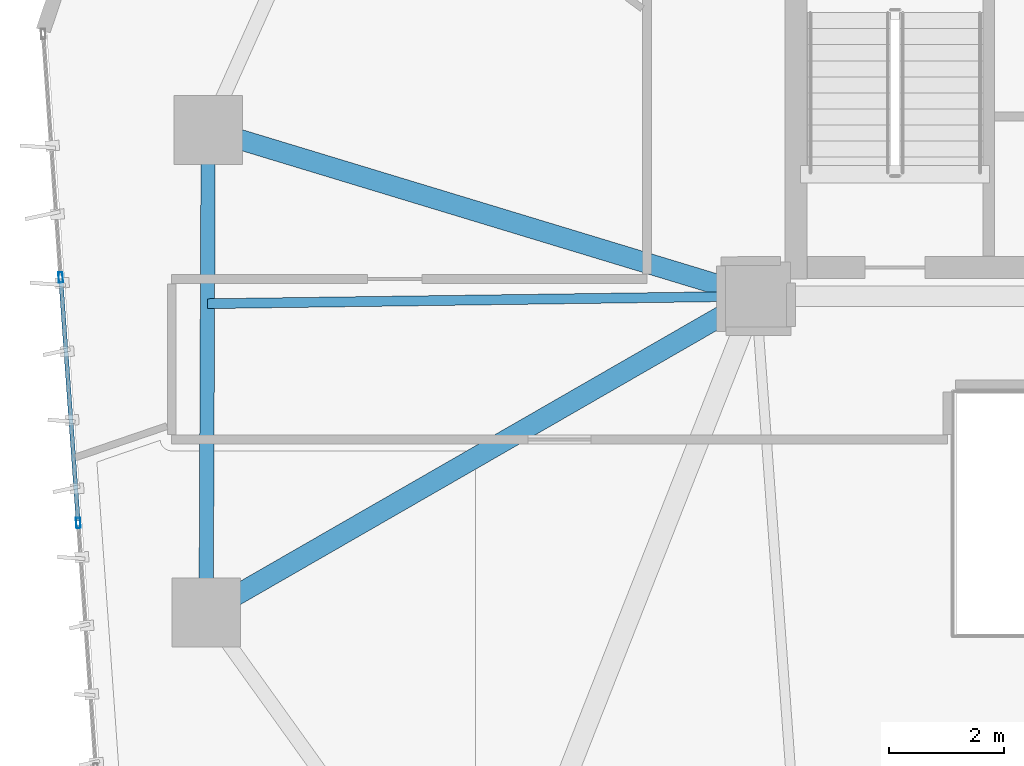
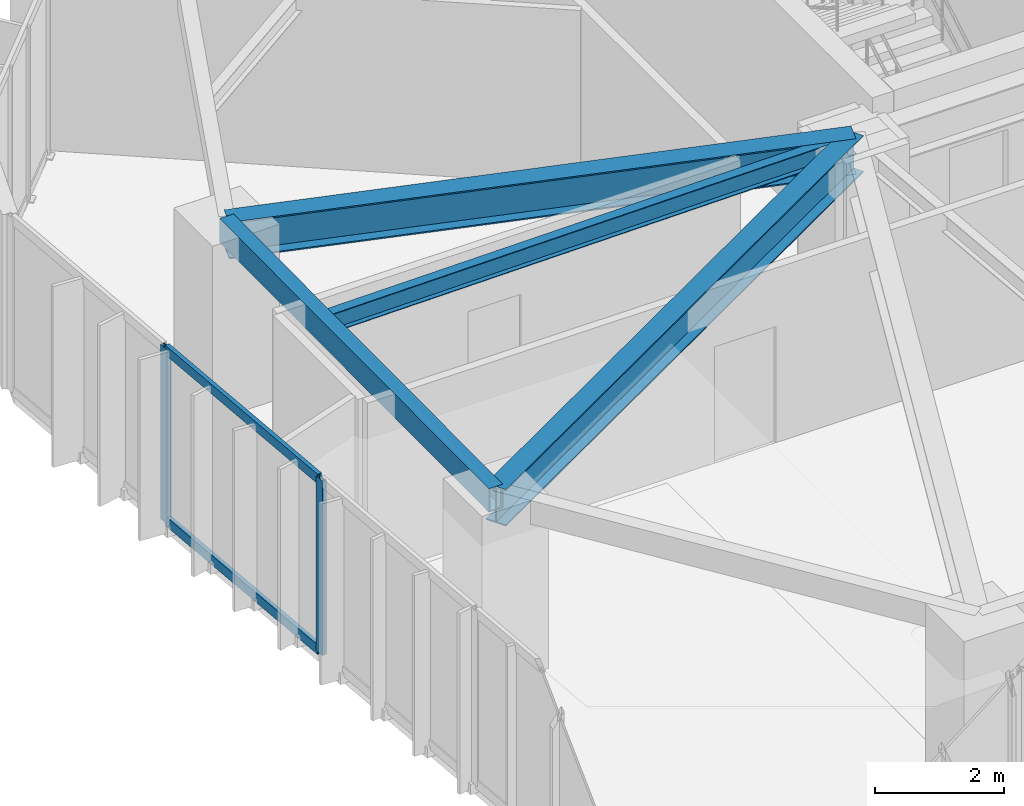
# One storey, part 4 of 23: 4 beams, 4 members, 1 element without a shape of its own.
"""IFC4 building model written with IfcOpenShell, lengths in metres."""

from ifc_helpers import new_model, si_unit, direction, frame, origin, origin_2d, place, context, subcontext, project, spatial, hollow_rectangle, i_section, extrude, source, transform, mapped, material, layer, layer_set, material_profile, profile_set, type_object, type_shapes, element, aggregate, save


model = new_model("IFC4")

# Units and contexts
model_context = context("Model", 3, precision=1e-05, world=origin(), true_north=direction((0.0, 1.0)))
body_context = subcontext(model_context, "Body", "Model", "MODEL_VIEW")
ifc_project = project(units=[si_unit("LENGTHUNIT", "METRE"), si_unit("AREAUNIT", "SQUARE_METRE"), si_unit("VOLUMEUNIT", "CUBIC_METRE"), si_unit("PLANEANGLEUNIT", "RADIAN"), si_unit("MASSUNIT", "GRAM", prefix="KILO")], contexts=[model_context])

# Site, building, storey
site_placement = place(None, origin())
site = spatial("IfcSite", under=ifc_project, at=site_placement, CompositionType="ELEMENT")
building_placement = place(site_placement, origin())
building = spatial("IfcBuilding", under=site, at=building_placement, Name="Talar Marvaseh", CompositionType="ELEMENT")
storey_placement = place(building_placement, frame((0.0, 0.0, 96.60009765625)))
storey = spatial("IfcBuildingStorey", under=building, at=storey_placement, Name="L24", CompositionType="ELEMENT", Elevation=96.60009765625)

# Beams
ifc_material_1 = material(Name="Steel S355", Category="steel")
ifc_material_profile_1 = material_profile(ifc_material_1, hollow_rectangle(XDim=0.25, YDim=0.449951171875, WallThickness=0.01611328125, at=origin_2d()), Name="RHS450x250x16")
ifc_profile_set_1 = profile_set([ifc_material_profile_1], Name="Steel S355")
beam_type_1 = type_object("IfcBeamType", Name="Zone 2 Perimeter Spandrel Beam RHS450x250x16", PredefinedType="SPANDREL", material=ifc_profile_set_1)
beam_1_placement = place(storey_placement, frame((9.10107421875, 19.97705078125, 3.0849609375), z_axis=(0.004375628226, 0.999990426893, 0.0), x_axis=(-0.999990426893, 0.004375628226, 0.0)))
element("IfcBeam", 1, at=beam_1_placement, inside=storey, type_object=beam_type_1, Name="L24 Zone 2 Perimeter Spandrel Beam RHS450x250x16", PredefinedType="SPANDREL", context=body_context, shape_type="SweptSolid", body=[
    extrude(hollow_rectangle(XDim=0.25, YDim=0.449951171875, WallThickness=0.01611328125, at=origin_2d()), origin(), (0.0, 0.0, 1.0), 8.425048828125),
])
ifc_material_profile_2 = material_profile(ifc_material_1, i_section(OverallWidth=0.35498046875, OverallDepth=0.695068359375, WebThickness=0.015380859375, FlangeThickness=0.02490234375, at=origin_2d()), Name="W690x217")
ifc_profile_set_2 = profile_set([ifc_material_profile_2], Name="Steel S355")
beam_type_2 = type_object("IfcBeamType", Name="Zone 2 Radial Floor Girder W690x217", PredefinedType="BEAM", material=ifc_profile_set_2)
beam_2_placement = place(storey_placement, frame((9.10107421875, 19.97705078125, 2.96240234375), z_axis=(0.866765990926, 0.498715065919, 0.0), x_axis=(-0.498715065919, 0.866765990926, 0.0)))
element("IfcBeam", 2, at=beam_2_placement, inside=storey, type_object=beam_type_2, Name="L24 Zone 2 Radial Floor Girder W690x217", PredefinedType="BEAM", context=body_context, shape_type="SweptSolid", body=[
    extrude(i_section(OverallWidth=0.35498046875, OverallDepth=0.695068359375, WebThickness=0.015380859375, FlangeThickness=0.02490234375, at=origin_2d()), origin(), (0.0, 0.0, 1.0), 11.074462890625),
])
beam_3_placement = place(storey_placement, frame((9.137939453125, 28.402099609375, 2.96240234375), z_axis=(0.956898764921, -0.290421682546, 0.0), x_axis=(0.290421682546, 0.956898764921, 0.0)))
element("IfcBeam", 3, at=beam_3_placement, inside=storey, type_object=beam_type_2, Name="L24 Zone 2 Radial Floor Girder W690x217", PredefinedType="BEAM", context=body_context, shape_type="SweptSolid", body=[
    extrude(i_section(OverallWidth=0.35498046875, OverallDepth=0.695068359375, WebThickness=0.015380859375, FlangeThickness=0.02490234375, at=origin_2d()), origin(), (0.0, 0.0, 1.0), 9.99267578125),
])
ifc_material_profile_3 = material_profile(ifc_material_1, i_section(OverallWidth=0.172119140625, OverallDepth=0.35791015625, WebThickness=0.0078125, FlangeThickness=0.01318359375, at=origin_2d()), Name="W360x57")
ifc_profile_set_3 = profile_set([ifc_material_profile_3], Name="Steel S355")
beam_type_3 = type_object("IfcBeamType", Name="Zone 2 Secondary Floor Joist W360x57", PredefinedType="JOIST", material=ifc_profile_set_3)
beam_4_placement = place(storey_placement, frame((9.124755859375, 25.368896484375, 3.130859375), z_axis=(0.999906277829, 0.013690710637, 0.0), x_axis=(-0.013690710637, 0.999906277829, 0.0)))
element("IfcBeam", 4, at=beam_4_placement, inside=storey, type_object=beam_type_3, Name="L24 Zone 2 Secondary Floor Joist W360x57", PredefinedType="JOIST", context=body_context, shape_type="SweptSolid", body=[
    extrude(i_section(OverallWidth=0.172119140625, OverallDepth=0.35791015625, WebThickness=0.0078125, FlangeThickness=0.01318359375, at=origin_2d()), origin(), (0.0, 0.0, 1.0), 9.576171875),
])

# Curtain wall, members
ifc_material_2 = material(Name="Architectural Aluminium", Category="aluminium")
ifc_layer = layer(ifc_material_2, 0.199951171875)
ifc_layer_set = layer_set([ifc_layer], Name="Architectural Aluminium")
curtain_wall_type = type_object("IfcCurtainWallType", Name="Unitised Acoustic Library Curtain Wall Z2", PredefinedType="NOTDEFINED", material=ifc_layer_set)
curtain_wall_placement = place(storey_placement, origin())
curtain_wall = element("IfcCurtainWall", 5, at=curtain_wall_placement, inside=storey, type_object=curtain_wall_type, Name="L24 Unitised Acoustic Library Curtain Wall Z2", PredefinedType="NOTDEFINED")
ifc_material_profile_4 = material_profile(ifc_material_2, hollow_rectangle(XDim=0.074951171875, YDim=0.179931640625, WallThickness=0.0048828125, at=origin_2d()), Name="RHS180x75x5")
ifc_profile_set_4 = profile_set([ifc_material_profile_4], Name="Architectural Aluminium")
member_type_1 = type_object("IfcMemberType", Name="Unitised Curtain Wall Transom RHS180x75x5", PredefinedType="USERDEFINED", material=ifc_profile_set_4)
shared_shape_1 = source(origin(), body_context, "Body", "SweptSolid", [
    extrude(hollow_rectangle(XDim=0.074951171875, YDim=0.179931640625, WallThickness=0.0048828125, at=origin_2d()), origin(), (0.0, 0.0, 1.0), 4.222900390625),
])
type_shapes(member_type_1, [shared_shape_1])
member_1_placement = place(storey_placement, frame((6.86669921875, 21.578857421875, 0.037353515625), z_axis=(-0.071456583022, 0.997443711065, 0.0), x_axis=(-0.997443711065, -0.071456583022, 0.0)))
member_1 = element("IfcMember", 6, at=member_1_placement, type_object=member_type_1, Name="CW-Z2 transom 3.1", ObjectType="TRANSOM", PredefinedType="USERDEFINED", context=body_context, shape_type="MappedRepresentation", body=[
    mapped(shared_shape_1, transform((0.0, 0.0, 0.0), x_axis=(1.0, 0.0, 0.0), y_axis=(0.0, 1.0, 0.0), z_axis=(0.0, 0.0, 1.0), scale=1.0)),
])
member_2_placement = place(storey_placement, frame((6.86669921875, 21.578857421875, 3.2724609375), z_axis=(-0.071456583022, 0.997443711065, 0.0), x_axis=(-0.997443711065, -0.071456583022, 0.0)))
member_2 = element("IfcMember", 7, at=member_2_placement, type_object=member_type_1, Name="CW-Z2 transom 3.2", ObjectType="TRANSOM", PredefinedType="USERDEFINED", context=body_context, shape_type="MappedRepresentation", body=[
    mapped(shared_shape_1, transform((0.0, 0.0, 0.0), x_axis=(1.0, 0.0, 0.0), y_axis=(0.0, 1.0, 0.0), z_axis=(0.0, 0.0, 1.0), scale=1.0)),
])
ifc_material_profile_5 = material_profile(ifc_material_2, hollow_rectangle(XDim=0.074951171875, YDim=0.179931640625, WallThickness=0.0048828125, at=origin_2d()), Name="RHS180x75x5")
ifc_profile_set_5 = profile_set([ifc_material_profile_5], Name="Architectural Aluminium")
member_type_2 = type_object("IfcMemberType", Name="Unitised Curtain Wall Standard Mullion RHS180x75x5", PredefinedType="MULLION", material=ifc_profile_set_5)
shared_shape_2 = source(origin(), body_context, "Body", "SweptSolid", [
    extrude(hollow_rectangle(XDim=0.074951171875, YDim=0.179931640625, WallThickness=0.0048828125, at=origin_2d()), origin(), (0.0, 0.0, 1.0), 3.309814453125),
])
type_shapes(member_type_2, [shared_shape_2])
member_3_placement = place(storey_placement, frame((6.869384765625, 21.54150390625, 0.0), z_axis=(0.0, 0.0, 1.0), x_axis=(-0.997445602626, -0.071430174316, 0.0)))
member_3 = element("IfcMember", 8, at=member_3_placement, type_object=member_type_2, Name="CW-Z2 mullion 3", PredefinedType="MULLION", context=body_context, shape_type="MappedRepresentation", body=[
    mapped(shared_shape_2, transform((0.0, 0.0, 0.0), x_axis=(1.0, 0.0, 0.0), y_axis=(0.0, 1.0, 0.0), z_axis=(0.0, 0.0, 1.0), scale=1.0)),
])
member_4_placement = place(storey_placement, frame((6.562255859375, 25.828369140625, 0.0), z_axis=(0.0, 0.0, 1.0), x_axis=(-0.997445602626, -0.071430174316, 0.0)))
member_4 = element("IfcMember", 9, at=member_4_placement, type_object=member_type_2, Name="CW-Z2 mullion 4", PredefinedType="MULLION", context=body_context, shape_type="MappedRepresentation", body=[
    mapped(shared_shape_2, transform((0.0, 0.0, 0.0), x_axis=(1.0, 0.0, 0.0), y_axis=(0.0, 1.0, 0.0), z_axis=(0.0, 0.0, 1.0), scale=1.0)),
])
aggregate(curtain_wall, [member_3, member_4, member_1, member_2])

save(model, "model.ifc")
